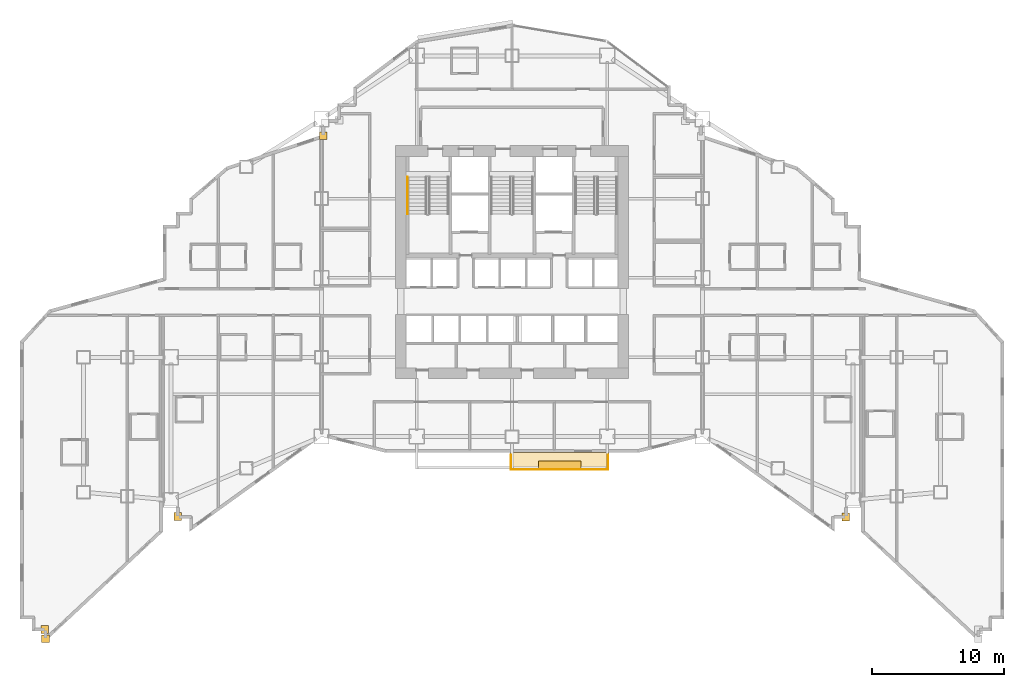
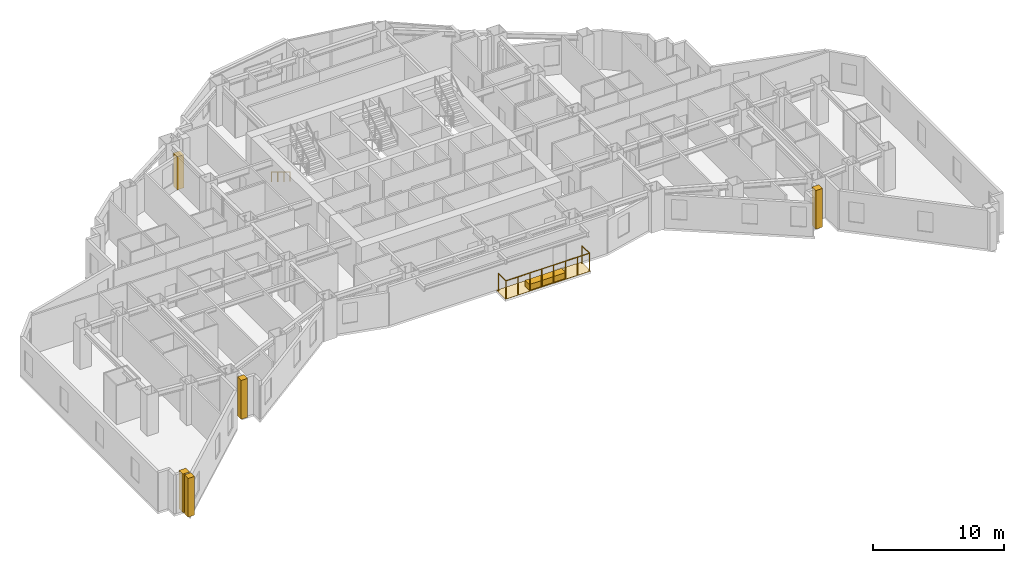
# One storey, part 15 of 17: 7 coverings, 3 railings.
"""IFC4 building model written with IfcOpenShell, lengths in metres."""

import ifcopenshell
import ifcopenshell.guid

model = None  # the IFC model being written
_history = None  # IfcOwnerHistory: only IFC2X3 demands one
_inside = {}  # id of a spatial element -> (the spatial element, [elements in it])
_under = {}  # id of a project, library or spatial element -> (it, [spatial elements below it])
_declared = {}  # id of a project -> (the project, [libraries it declares])
_typed = {}  # id of a type object -> (the type object, [elements of that type])
_made_of = {}  # id of a material, layer set ... -> (it, [elements and type objects made of it])


def new_model(schema):
    """Start an empty IFC model of exactly this schema.

    Asked for "IFC4X3", IfcOpenShell would pick the latest addendum, in which some entities
    have other attributes; the version numbers below select the first issue.
    IFC2X3 requires an IfcOwnerHistory on every rooted entity: one is made here for all.
    """
    global model, _history
    if schema == "IFC4X3":
        model = ifcopenshell.file(schema_version=(4, 3, 0, 0))
    else:
        model = ifcopenshell.file(schema=schema)
    _inside.clear()
    _under.clear()
    _declared.clear()
    _typed.clear()
    _made_of.clear()
    _history = None
    if model.schema == "IFC2X3":
        org = make("IfcOrganization", Name="unknown")
        user = make(
            "IfcPersonAndOrganization",
            ThePerson=make("IfcPerson", FamilyName="unknown"),
            TheOrganization=org,
        )
        app = make(
            "IfcApplication",
            ApplicationDeveloper=org,
            Version="unknown",
            ApplicationFullName="unknown",
            ApplicationIdentifier="unknown",
        )
        _history = make(
            "IfcOwnerHistory",
            OwningUser=user,
            OwningApplication=app,
            ChangeAction="ADDED",
            CreationDate=0,
        )
    return model


def make(cls, **values):
    """One entity of the class cls with the attributes given. An attribute that is None is left unset."""
    return model.create_entity(
        cls, **{name: value for name, value in values.items() if value is not None}
    )


def rooted(cls, **values):
    """An entity with a GlobalId (a new one), such as an element, a storey or a relation."""
    return make(cls, GlobalId=ifcopenshell.guid.new(), OwnerHistory=_history, **values)


def si_unit(unit_type, name, prefix=None):
    """IfcSIUnit, for example si_unit("LENGTHUNIT", "METRE", prefix="MILLI")."""
    return make("IfcSIUnit", UnitType=unit_type, Prefix=prefix, Name=name)


def assignment(units):
    """IfcUnitAssignment: the units of a project."""
    return None if units is None else make("IfcUnitAssignment", Units=units)


def point(xyz):
    """IfcCartesianPoint."""
    return None if xyz is None else make("IfcCartesianPoint", Coordinates=xyz)


def direction(xyz):
    """IfcDirection."""
    return None if xyz is None else make("IfcDirection", DirectionRatios=xyz)


def frame(location, z_axis=None, x_axis=None):
    """IfcAxis2Placement3D, a coordinate frame: its origin and axes. An axis left out is left unset."""
    return make(
        "IfcAxis2Placement3D",
        Location=point(location),
        Axis=direction(z_axis),
        RefDirection=direction(x_axis),
    )


def frame_2d(location, x_axis=None):
    """IfcAxis2Placement2D, a coordinate frame in the plane: its origin and x axis."""
    return make(
        "IfcAxis2Placement2D", Location=point(location), RefDirection=direction(x_axis)
    )


def origin():
    """The frame at (0, 0, 0) with its axes left unset."""
    return frame((0.0, 0.0, 0.0))


def origin_2d():
    """The frame at (0, 0) in the plane with its x axis left unset."""
    return frame_2d((0.0, 0.0))


def place(relative_to, where):
    """IfcLocalPlacement: puts the frame where relative to a parent placement (None: the world)."""
    return make(
        "IfcLocalPlacement", PlacementRelTo=relative_to, RelativePlacement=where
    )


def context(
    kind, dimensions, precision=None, world=None, true_north=None, identifier=None
):
    """IfcGeometricRepresentationContext, for example the 3D "Model" context."""
    return make(
        "IfcGeometricRepresentationContext",
        ContextIdentifier=identifier,
        ContextType=kind,
        CoordinateSpaceDimension=dimensions,
        Precision=precision,
        WorldCoordinateSystem=world,
        TrueNorth=true_north,
    )


def subcontext(parent, identifier, kind, view, scale=None):
    """IfcGeometricRepresentationSubContext, for example "Body" below "Model"."""
    return make(
        "IfcGeometricRepresentationSubContext",
        ContextIdentifier=identifier,
        ContextType=kind,
        ParentContext=parent,
        TargetScale=scale,
        TargetView=view,
    )


def project(units=None, contexts=None):
    """IfcProject with its units and contexts."""
    return rooted(
        "IfcProject",
        Name="project",
        RepresentationContexts=contexts,
        UnitsInContext=assignment(units),
    )


def spatial(cls, under=None, at=None, **own):
    """A site, building, storey or space (cls), placed at a placement, below another one or the project."""
    s = rooted(cls, ObjectPlacement=at, **own)
    if under is not None:
        _under.setdefault(under.id(), (under, []))[1].append(s)
    return s


def polyline(points):
    """IfcPolyline through the points."""
    return make("IfcPolyline", Points=[point(p) for p in points])


def profile(cls, at=None, kind="AREA", **sizes):
    """A parametric profile (cls). Its sizes go by their IFC names, for example OverallWidth=200.0."""
    return make(cls, ProfileType=kind, Position=at, **sizes)


def rectangle(**sizes):
    """IfcRectangleProfileDef."""
    return profile("IfcRectangleProfileDef", **sizes)


def circle(**sizes):
    """IfcCircleProfileDef."""
    return profile("IfcCircleProfileDef", **sizes)


def outline(outer, holes=None, kind="AREA"):
    """IfcArbitraryClosedProfileDef: a profile drawn as a closed curve; with holes, ...WithVoids."""
    if holes is None:
        return make("IfcArbitraryClosedProfileDef", ProfileType=kind, OuterCurve=outer)
    return make(
        "IfcArbitraryProfileDefWithVoids",
        ProfileType=kind,
        OuterCurve=outer,
        InnerCurves=holes,
    )


def extrude(swept, where, along, depth):
    """IfcExtrudedAreaSolid: the profile swept, set in the frame where, extruded along a direction by depth."""
    return make(
        "IfcExtrudedAreaSolid",
        SweptArea=swept,
        Position=where,
        ExtrudedDirection=direction(along),
        Depth=depth,
    )


def shape(context_of_items, identifier, shape_type, items):
    """IfcShapeRepresentation: the items that make up one representation, for example the "Body"."""
    return make(
        "IfcShapeRepresentation",
        ContextOfItems=context_of_items,
        RepresentationIdentifier=identifier,
        RepresentationType=shape_type,
        Items=items,
    )


def material(Name=None, Category=None):
    """IfcMaterial."""
    return make("IfcMaterial", Name=Name, Category=Category)


def layer(
    of_material, thickness, ventilated=None, Name=None, Category=None, Priority=None
):
    """IfcMaterialLayer: one layer of a wall or slab, of a material (None: an air gap)."""
    return make(
        "IfcMaterialLayer",
        Material=of_material,
        LayerThickness=thickness,
        IsVentilated=ventilated,
        Name=Name,
        Category=Category,
        Priority=Priority,
    )


def layer_set(layers, Name=None):
    """IfcMaterialLayerSet."""
    return make("IfcMaterialLayerSet", MaterialLayers=layers, LayerSetName=Name)


def made_of(thing, what):
    """Note that an element or type object is made of a material, layer set ...; save() writes the relation."""
    if what is not None:
        _made_of.setdefault(what.id(), (what, []))[1].append(thing)
    return thing


def type_object(cls, material=None, **own):
    """A type object (cls), such as IfcWallType, which elements share."""
    return made_of(rooted(cls, **own), material)


def element(
    cls,
    number,
    at=None,
    inside=None,
    cuts=None,
    type_object=None,
    material=None,
    context=None,
    identifier="Body",
    shape_type=None,
    held_by="IfcProductDefinitionShape",
    body=None,
    shapes=None,
    **own,
):
    """One element of the class cls, such as IfcWall. Its Tag is "e" and its number.

    at: its placement. inside: the storey or other place that contains it. cuts: it is an
    opening in that element (IfcRelVoidsElement). A single representation is given by context,
    identifier, shape_type and body (its items); several are given by shapes. held_by: the class
    of the entity that holds the representations. save() writes the other relations.
    """
    e = rooted(cls, Tag="e%d" % number, ObjectPlacement=at, **own)
    if body is not None:
        shapes = [shape(context, identifier, shape_type, body)]
    if shapes is not None:
        e.Representation = make(held_by, Representations=shapes)
    if inside is not None:
        _inside.setdefault(inside.id(), (inside, []))[1].append(e)
    if cuts is not None:
        rooted(
            "IfcRelVoidsElement", RelatingBuildingElement=cuts, RelatedOpeningElement=e
        )
    if type_object is not None:
        _typed.setdefault(type_object.id(), (type_object, []))[1].append(e)
    return made_of(e, material)


def aggregate(whole, parts):
    """IfcRelAggregates: a whole, such as a stair, and the parts it consists of."""
    return rooted("IfcRelAggregates", RelatingObject=whole, RelatedObjects=parts)


def save(model, path):
    """Write the relations noted so far, then the file.

    IfcRelAggregates (storeys below a building ...), IfcRelContainedInSpatialStructure (elements
    in a storey), IfcRelDefinesByType, IfcRelAssociatesMaterial and IfcRelDeclares: one each for
    every whole, place, type object, material and project.
    """
    for whole, parts in _under.values():
        aggregate(whole, parts)
    for where, things in _inside.values():
        rooted(
            "IfcRelContainedInSpatialStructure",
            RelatedElements=things,
            RelatingStructure=where,
        )
    for kind, things in _typed.values():
        rooted("IfcRelDefinesByType", RelatedObjects=things, RelatingType=kind)
    for what, things in _made_of.values():
        rooted("IfcRelAssociatesMaterial", RelatedObjects=things, RelatingMaterial=what)
    for by, libraries in _declared.values():
        rooted("IfcRelDeclares", RelatingContext=by, RelatedDefinitions=libraries)
    model.write(path)


model = new_model("IFC4")

# Units and contexts
model_context = context("Model", 3, precision=1e-05, world=origin(), true_north=direction((0.0, 1.0)))
body_context = subcontext(model_context, "Body", "Model", "MODEL_VIEW")
ifc_project = project(units=[si_unit("LENGTHUNIT", "METRE"), si_unit("AREAUNIT", "SQUARE_METRE"), si_unit("VOLUMEUNIT", "CUBIC_METRE"), si_unit("PLANEANGLEUNIT", "RADIAN"), si_unit("MASSUNIT", "GRAM", prefix="KILO")], contexts=[model_context])

# Site, building, storey
site_placement = place(None, origin())
site = spatial("IfcSite", under=ifc_project, at=site_placement, CompositionType="ELEMENT")
building_placement = place(site_placement, origin())
building = spatial("IfcBuilding", under=site, at=building_placement, Name="Haolan Belvedere Tower", CompositionType="ELEMENT")
storey_placement = place(building_placement, frame((0.0, 0.0, 81.800048828125)))
storey = spatial("IfcBuildingStorey", under=building, at=storey_placement, Name="L20", CompositionType="ELEMENT", Elevation=81.800048828125)

# Coverings
ifc_material_1 = material(Name="Pale champagne-silver anodised aluminium rainscreen cladding", Category="aluminium")
ifc_layer_1 = layer(ifc_material_1, 0.034912109375, Name="Pale champagne-silver anodised aluminium rainscreen cladding")
ifc_layer_set_1 = layer_set([ifc_layer_1], Name="Pale champagne-silver anodised aluminium rainscreen cladding")
covering_type_1 = type_object("IfcCoveringType", Name="COV-CLAD-35", PredefinedType="CLADDING", material=ifc_layer_set_1)
for number, where, z_axis, x_axis, name in (
    (1, (3.077392578125, 7.02001953125, 0.0), (0.0, 0.0, 1.0), (1.0, 0.0, 0.0), "L20 pale-metal serrated corner cladding trim 1"),
    (2, (3.1201171875, 6.318603515625, 0.0), (0.0, 0.0, 1.0), (1.0, 0.0, 0.0), "L20 pale-metal serrated corner cladding trim 2"),
    (3, (13.1201171875, 15.5625, 0.0), (0.0, 0.0, 1.0), (1.0, 0.0, 0.0), "L20 pale-metal serrated corner cladding trim 3"),
    (4, (63.637451171875, 15.52001953125, 0.0), (0.0, 0.0, 1.0), (1.0, 0.0, 0.0), "L20 pale-metal serrated corner cladding trim 4"),
):
    element("IfcCovering", number, at=place(storey_placement, frame(where, z_axis=z_axis, x_axis=x_axis)), inside=storey, type_object=covering_type_1, Name=name, PredefinedType="CLADDING", context=body_context, shape_type="SweptSolid", body=[
        extrude(rectangle(XDim=0.580078125, YDim=0.580078125, at=origin_2d()), origin(), (0.0, 0.0, 1.0), 3.60009765625),
    ])
covering_1_placement = place(storey_placement, frame((24.1201171875, 44.35595703125, 0.0), z_axis=(0.0, 0.0, 1.0), x_axis=(1.0, 0.0, 0.0)))
element("IfcCovering", 5, at=covering_1_placement, inside=storey, type_object=covering_type_1, Name="L20 pale-metal serrated corner cladding trim 10", PredefinedType="CLADDING", context=body_context, shape_type="SweptSolid", body=[
    extrude(rectangle(XDim=0.580078125, YDim=0.580078125, at=origin_2d()), origin(), (0.0, 0.0, 1.0), 3.096923828125),
])
ifc_material_2 = material(Name="Engineered lightweight planted garden soil substrate", Category="masonry")
ifc_layer_2 = layer(ifc_material_2, 0.550048828125, Name="Engineered lightweight planted garden soil substrate")
ifc_layer_set_2 = layer_set([ifc_layer_2], Name="Engineered lightweight planted garden soil substrate")
covering_type_2 = type_object("IfcCoveringType", Name="COV-PLANT-550", PredefinedType="MEMBRANE", material=ifc_layer_set_2)
covering_2_placement = place(storey_placement, frame((42.0, 19.43994140625, 0.0), z_axis=(0.0, 0.0, 1.0), x_axis=(1.0, 0.0, 0.0)))
element("IfcCovering", 6, at=covering_2_placement, inside=storey, type_object=covering_type_2, Name="L20 structural tree balcony PLANTER box 1", PredefinedType="MEMBRANE", context=body_context, shape_type="SweptSolid", body=[
    extrude(rectangle(XDim=3.199951171875, YDim=0.64990234375, at=origin_2d()), origin(), (0.0, 0.0, 1.0), 0.550048828125),
])
ifc_material_3 = material(Name="Elastomeric waterproof roofing membrane and stone pavers", Category="masonry")
ifc_layer_3 = layer(ifc_material_3, 0.02001953125, Name="Elastomeric waterproof roofing membrane and stone pavers")
ifc_layer_set_3 = layer_set([ifc_layer_3], Name="Elastomeric waterproof roofing membrane and stone pavers")
covering_type_3 = type_object("IfcCoveringType", Name="COV-ROOF-20", PredefinedType="ROOFING", material=ifc_layer_set_3)
covering_3_placement = place(storey_placement, frame((0.0, 0.0, -0.02001953125)))
element("IfcCovering", 7, at=covering_3_placement, inside=storey, type_object=covering_type_3, Name="L20 tree-balcony waterproof membrane 1", PredefinedType="ROOFING", context=body_context, shape_type="SweptSolid", body=[
    extrude(outline(polyline([(38.25, 19.02001953125), (45.75, 19.02001953125), (45.75, 20.39990234375), (38.25, 20.39990234375), (38.25, 19.02001953125)])), origin(), (0.0, 0.0, 1.0), 0.02001953125),
])

# Railings
ifc_material_4 = material(Name="Brushed stainless steel 304", Category="steel")
railing_type_1 = type_object("IfcRailingType", Name="RL-STAIR-HND-900", PredefinedType="HANDRAIL", material=ifc_material_4)
railing_1_placement = place(storey_placement, frame((30.5, 41.22998046875, 0.172607421875)))
element("IfcRailing", 8, at=railing_1_placement, inside=storey, type_object=railing_type_1, Name="L20 ST1 stair handrail 1", PredefinedType="HANDRAIL", context=body_context, shape_type="SweptSolid", body=[
    extrude(circle(Radius=0.02392578125, at=origin_2d()), frame((0.0, 0.0, 0.8759765625), z_axis=(0.0, -0.851089632645, 0.525020415988), x_axis=(1.0, 0.0, 0.0)), (0.0, 0.0, 1.0), 3.2900390625),
    extrude(circle(Radius=0.02099609375, at=origin_2d()), origin(), (0.0, 0.0, 1.0), 0.851806640625),
    extrude(circle(Radius=0.02099609375, at=origin_2d()), frame((0.0, -0.933349609375, 0.57568359375)), (0.0, 0.0, 1.0), 0.851806640625),
    extrude(circle(Radius=0.02099609375, at=origin_2d()), frame((0.0, -1.86669921875, 1.151611328125)), (0.0, 0.0, 1.0), 0.851806640625),
    extrude(circle(Radius=0.02099609375, at=origin_2d()), frame((0.0, -2.800048828125, 1.727294921875)), (0.0, 0.0, 1.0), 0.851806640625),
])
ifc_material_5 = material(Name="Anodised aluminium and laminated glass balustrade", Category="aluminium")
railing_type_2 = type_object("IfcRailingType", Name="RL-TER-BAL-1150", PredefinedType="BALUSTRADE", material=ifc_material_5)
railing_2_placement = place(storey_placement, frame((38.330078125, 19.10009765625, 0.0)))
element("IfcRailing", 9, at=railing_2_placement, inside=storey, type_object=railing_type_2, Name="L20 outdoor perimeter balustrade BAL-L20-1-1", PredefinedType="BALUSTRADE", context=body_context, shape_type="SweptSolid", body=[
    extrude(circle(Radius=0.02392578125, at=origin_2d()), frame((0.0, 0.0, 1.6259765625), z_axis=(0.0, 1.0, 0.0), x_axis=(-1.0, 0.0, 0.0)), (0.0, 0.0, 1.0), 1.119873046875),
    extrude(circle(Radius=0.02099609375, at=origin_2d()), origin(), (0.0, 0.0, 1.0), 1.601806640625),
    extrude(circle(Radius=0.02099609375, at=origin_2d()), frame((0.0, 1.119873046875, 0.0)), (0.0, 0.0, 1.0), 1.601806640625),
])
railing_3_placement = place(storey_placement, frame((45.669921875, 20.219970703125, 0.0)))
element("IfcRailing", 10, at=railing_3_placement, inside=storey, type_object=railing_type_2, Name="L20 outdoor perimeter balustrade BAL-L20-1-2", PredefinedType="BALUSTRADE", context=body_context, shape_type="SweptSolid", body=[
    extrude(circle(Radius=0.02392578125, at=origin_2d()), frame((0.0, 0.0, 1.6259765625), z_axis=(0.0, -1.0, 0.0), x_axis=(1.0, 0.0, 0.0)), (0.0, 0.0, 1.0), 1.119873046875),
    extrude(circle(Radius=0.02392578125, at=origin_2d()), frame((0.0, -1.119873046875, 1.6259765625), z_axis=(-1.0, 0.0, 0.0), x_axis=(0.0, -1.0, 0.0)), (0.0, 0.0, 1.0), 7.33984375),
    extrude(circle(Radius=0.02099609375, at=origin_2d()), origin(), (0.0, 0.0, 1.0), 1.601806640625),
    extrude(circle(Radius=0.02099609375, at=origin_2d()), frame((0.0, -1.119873046875, 0.0)), (0.0, 0.0, 1.0), 1.601806640625),
    extrude(circle(Radius=0.02099609375, at=origin_2d()), frame((-1.048583984375, -1.119873046875, 0.0)), (0.0, 0.0, 1.0), 1.601806640625),
    extrude(circle(Radius=0.02099609375, at=origin_2d()), frame((-2.09716796875, -1.119873046875, 0.0)), (0.0, 0.0, 1.0), 1.601806640625),
    extrude(circle(Radius=0.02099609375, at=origin_2d()), frame((-3.145751953125, -1.119873046875, 0.0)), (0.0, 0.0, 1.0), 1.601806640625),
    extrude(circle(Radius=0.02099609375, at=origin_2d()), frame((-4.194091796875, -1.119873046875, 0.0)), (0.0, 0.0, 1.0), 1.601806640625),
    extrude(circle(Radius=0.02099609375, at=origin_2d()), frame((-5.24267578125, -1.119873046875, 0.0)), (0.0, 0.0, 1.0), 1.601806640625),
    extrude(circle(Radius=0.02099609375, at=origin_2d()), frame((-6.291259765625, -1.119873046875, 0.0)), (0.0, 0.0, 1.0), 1.601806640625),
    extrude(circle(Radius=0.02099609375, at=origin_2d()), frame((-7.33984375, -1.119873046875, 0.0)), (0.0, 0.0, 1.0), 1.601806640625),
])

save(model, "model.ifc")
